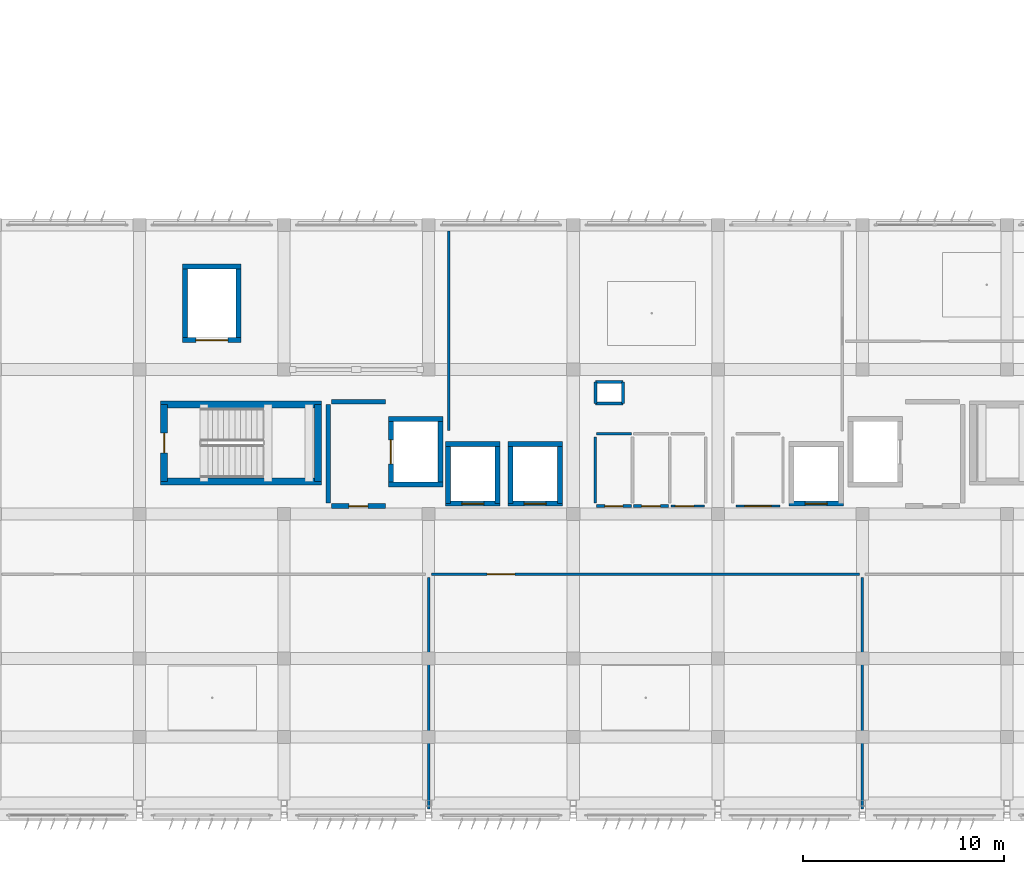
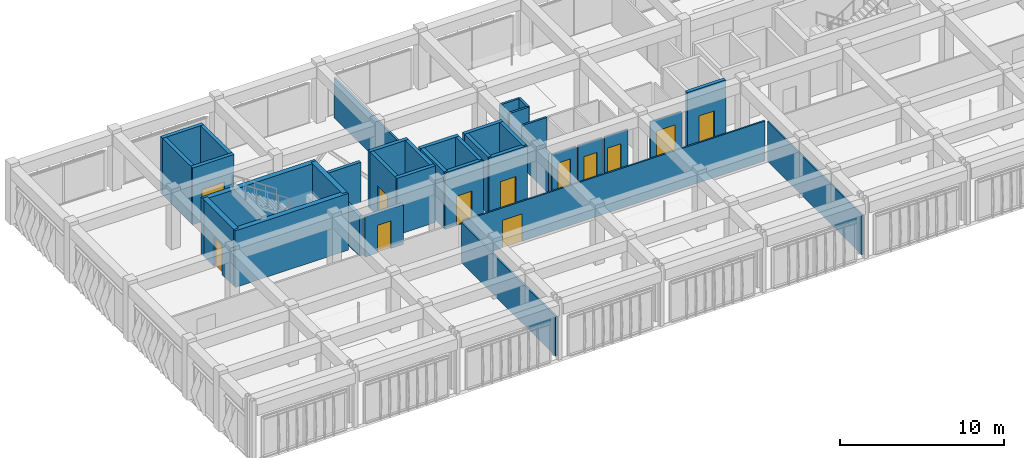
# One storey, part 35 of 56: 38 walls, 12 doors, 12 openings.
"""IFC4 building model written with IfcOpenShell, lengths in metres."""

from ifc_helpers import new_model, si_unit, direction, frame, frame_2d, origin, place, context, subcontext, project, spatial, rectangle, extrude, material, layer, layer_set, type_object, element, fill, save


model = new_model("IFC4")

# Units and contexts
model_context = context("Model", 3, precision=1e-05, world=origin(), true_north=direction((0.0, 1.0)))
body_context = subcontext(model_context, "Body", "Model", "MODEL_VIEW")
ifc_project = project(units=[si_unit("LENGTHUNIT", "METRE"), si_unit("AREAUNIT", "SQUARE_METRE"), si_unit("VOLUMEUNIT", "CUBIC_METRE"), si_unit("PLANEANGLEUNIT", "RADIAN"), si_unit("MASSUNIT", "GRAM", prefix="KILO")], contexts=[model_context])

# Site, building, storey
site_placement = place(None, origin())
site = spatial("IfcSite", under=ifc_project, at=site_placement, CompositionType="ELEMENT")
building_placement = place(site_placement, origin())
building = spatial("IfcBuilding", under=site, at=building_placement, Name="Kazehaya Institute of Natural Sciences", CompositionType="ELEMENT")
storey_placement = place(building_placement, frame((0.0, 0.0, 28.800048828125)))
storey = spatial("IfcBuildingStorey", under=building, at=storey_placement, Name="L06", CompositionType="ELEMENT", Elevation=28.800048828125)

# Walls
ifc_material_1 = material(Name="Concrete Fc42", Category="concrete")
ifc_layer_1 = layer(ifc_material_1, 0.35009765625, Name="Concrete Fc42", Category="concrete")
ifc_layer_set_1 = layer_set([ifc_layer_1], Name="Concrete Fc42")
wall_type_1 = type_object("IfcWallType", Name="WL-CORE-350", PredefinedType="SHEAR", material=ifc_layer_set_1)
for number, where, z_axis, x_axis, name in (
    (1, (70.85498046875, 22.820068359375, 0.0), (0.0, 0.0, 1.0), (-1.0, 0.0, 0.0), "L06 ST-1 core wall S"),
    (2, (62.844970703125, 26.659912109375, 0.0), (0.0, 0.0, 1.0), (1.0, 0.0, 0.0), "L06 ST-1 core wall N"),
):
    element("IfcWall", number, at=place(storey_placement, frame(where, z_axis=z_axis, x_axis=x_axis)), inside=storey, type_object=wall_type_1, Name=name, PredefinedType="SHEAR", context=body_context, shape_type="SweptSolid", body=[
        extrude(rectangle(XDim=8.010009765625, YDim=0.35009765625, at=frame_2d((4.0048828125, 0.0))), origin(), (0.0, 0.0, 1.0), 4.22998046875),
    ])

# Wall, opening, door
wall_1_placement = place(storey_placement, frame((63.02001953125, 22.820068359375, 0.0), z_axis=(0.0, 0.0, 1.0), x_axis=(0.0, 1.0, 0.0)))
wall_1 = element("IfcWall", 3, at=wall_1_placement, inside=storey, type_object=wall_type_1, Name="L06 ST-1 core wall W", PredefinedType="SHEAR", context=body_context, shape_type="SweptSolid", body=[
    extrude(rectangle(XDim=3.83984375, YDim=0.35009765625, at=frame_2d((1.919921875, 0.0))), origin(), (0.0, 0.0, 1.0), 4.22998046875),
])
opening_1_placement = place(wall_1_placement, frame((1.429931640625, 0.0, 0.0)))
opening_1 = element("IfcOpeningElement", 4, at=opening_1_placement, cuts=wall_1, Name="Opening D-ST-008", PredefinedType="OPENING", context=body_context, shape_type="SweptSolid", body=[
    extrude(rectangle(XDim=0.97998046875, YDim=2.179931640625, at=frame_2d((0.489990234375, 1.08984375))), frame((0.0, 0.18505859375, 0.0), z_axis=(0.0, -1.0, 0.0), x_axis=(1.0, 0.0, 0.0)), (0.0, 0.0, 1.0), 0.3701171875),
])
ifc_material_2 = material(Name="Fire-rated steel acoustic door", Category="steel")
door_type_1 = type_object("IfcDoorType", Name="DT-FD-09", OperationType="NOTDEFINED", PredefinedType="DOOR", material=ifc_material_2)
door_1_placement = place(opening_1_placement, origin())
door_1 = element("IfcDoor", 5, at=door_1_placement, inside=storey, type_object=door_type_1, Name="L06 ST-1 stair enclosure door D-ST-008", OperationType="SINGLE_SWING_RIGHT", OverallHeight=2.179931640625, OverallWidth=0.97998046875, PredefinedType="DOOR", context=body_context, shape_type="SweptSolid", body=[
    extrude(rectangle(XDim=0.97998046875, YDim=2.179931640625, at=frame_2d((0.489990234375, 1.08984375))), frame((0.0, 0.02490234375, 0.0), z_axis=(0.0, -1.0, 0.0), x_axis=(1.0, 0.0, 0.0)), (0.0, 0.0, 1.0), 0.050048828125),
])
fill(opening_1, door_1)

# Wall
wall_2_placement = place(storey_placement, frame((70.679931640625, 26.659912109375, 0.0), z_axis=(0.0, 0.0, 1.0), x_axis=(0.0, -1.0, 0.0)))
element("IfcWall", 6, at=wall_2_placement, inside=storey, type_object=wall_type_1, Name="L06 ST-1 core wall E", PredefinedType="SHEAR", context=body_context, shape_type="SweptSolid", body=[
    extrude(rectangle(XDim=3.83984375, YDim=0.35009765625, at=frame_2d((1.919921875, 0.0))), origin(), (0.0, 0.0, 1.0), 4.22998046875),
])

# Wall, opening, door
ifc_material_3 = material(Name="Concrete Fc36", Category="concrete")
ifc_layer_2 = layer(ifc_material_3, 0.22998046875, Name="Concrete Fc36", Category="concrete")
ifc_layer_set_2 = layer_set([ifc_layer_2], Name="Concrete Fc36")
wall_type_2 = type_object("IfcWallType", Name="WL-FFL-230", PredefinedType="PARTITIONING", material=ifc_layer_set_2)
wall_3_placement = place(storey_placement, frame((74.050048828125, 21.60009765625, 0.0), z_axis=(0.0, 0.0, 1.0), x_axis=(-1.0, 0.0, 0.0)))
wall_3 = element("IfcWall", 7, at=wall_3_placement, inside=storey, type_object=wall_type_2, Name="L06 West Firefighting Lift Lobby partition IW-L06-0290", PredefinedType="PARTITIONING", context=body_context, shape_type="SweptSolid", body=[
    extrude(rectangle(XDim=2.699951171875, YDim=0.22998046875, at=frame_2d((1.35009765625, 0.0))), origin(), (0.0, 0.0, 1.0), 2.97998046875),
])
opening_2_placement = place(wall_3_placement, frame((0.8798828125, 0.0, 0.0)))
opening_2 = element("IfcOpeningElement", 8, at=opening_2_placement, cuts=wall_3, Name="Opening D-L06-0170", PredefinedType="OPENING", context=body_context, shape_type="SweptSolid", body=[
    extrude(rectangle(XDim=0.93994140625, YDim=2.06005859375, at=frame_2d((0.469970703125, 1.030029296875))), frame((0.0, 0.125, 0.0), z_axis=(0.0, -1.0, 0.0), x_axis=(1.0, 0.0, 0.0)), (0.0, 0.0, 1.0), 0.25),
])
door_type_2 = type_object("IfcDoorType", Name="DT-FD-04", OperationType="NOTDEFINED", PredefinedType="DOOR", material=ifc_material_2)
door_2_placement = place(opening_2_placement, origin())
door_2 = element("IfcDoor", 9, at=door_2_placement, inside=storey, type_object=door_type_2, Name="L06 West Firefighting Lift Lobby door D-L06-0170", OperationType="SINGLE_SWING_RIGHT", OverallHeight=2.06005859375, OverallWidth=0.93994140625, PredefinedType="DOOR", context=body_context, shape_type="SweptSolid", body=[
    extrude(rectangle(XDim=0.93994140625, YDim=2.06005859375, at=frame_2d((0.469970703125, 1.030029296875))), frame((0.0, 0.02490234375, 0.0), z_axis=(0.0, -1.0, 0.0), x_axis=(1.0, 0.0, 0.0)), (0.0, 0.0, 1.0), 0.050048828125),
])
fill(opening_2, door_2)

# Walls
wall_4_placement = place(storey_placement, frame((71.35009765625, 26.800048828125, 0.0), z_axis=(0.0, 0.0, 1.0), x_axis=(1.0, 0.0, 0.0)))
element("IfcWall", 10, at=wall_4_placement, inside=storey, type_object=wall_type_2, Name="L06 West Firefighting Lift Lobby partition IW-L06-0291", PredefinedType="PARTITIONING", context=body_context, shape_type="SweptSolid", body=[
    extrude(rectangle(XDim=2.699951171875, YDim=0.22998046875, at=frame_2d((1.35009765625, 0.0))), origin(), (0.0, 0.0, 1.0), 2.97998046875),
])
wall_5_placement = place(storey_placement, frame((71.199951171875, 21.75, 0.0), z_axis=(0.0, 0.0, 1.0), x_axis=(0.0, 1.0, 0.0)))
element("IfcWall", 11, at=wall_5_placement, inside=storey, type_object=wall_type_2, Name="L06 West Firefighting Lift Lobby partition IW-L06-0292", PredefinedType="PARTITIONING", context=body_context, shape_type="SweptSolid", body=[
    extrude(rectangle(XDim=4.89990234375, YDim=0.22998046875, at=frame_2d((2.449951171875, 0.0))), origin(), (0.0, 0.0, 1.0), 2.97998046875),
])

# Wall, opening, door
ifc_material_4 = material(Name="Glazed office demountable partition")
ifc_layer_3 = layer(ifc_material_4, 0.110107421875, Name="Glazed office demountable partition")
ifc_layer_set_3 = layer_set([ifc_layer_3], Name="Glazed office demountable partition")
wall_type_3 = type_object("IfcWallType", Name="WL-PART-110", PredefinedType="PARTITIONING", material=ifc_layer_set_3)
wall_6_placement = place(storey_placement, frame((93.699951171875, 21.60009765625, 0.0), z_axis=(0.0, 0.0, 1.0), x_axis=(-1.0, 0.0, 0.0)))
wall_6 = element("IfcWall", 12, at=wall_6_placement, inside=storey, type_object=wall_type_3, Name="L06 Ostomate WC partition IW-L06-0306", PredefinedType="PARTITIONING", context=body_context, shape_type="SweptSolid", body=[
    extrude(rectangle(XDim=2.199951171875, YDim=0.110107421875, at=frame_2d((1.10009765625, 0.0))), origin(), (0.0, 0.0, 1.0), 2.97998046875),
])
opening_3_placement = place(wall_6_placement, frame((0.43994140625, 0.0, 0.0)))
opening_3 = element("IfcOpeningElement", 13, at=opening_3_placement, cuts=wall_6, Name="Opening D-L06-0175", PredefinedType="OPENING", context=body_context, shape_type="SweptSolid", body=[
    extrude(rectangle(XDim=1.320068359375, YDim=2.159912109375, at=frame_2d((0.66015625, 1.080078125))), frame((0.0, 0.06494140625, 0.0), z_axis=(0.0, -1.0, 0.0), x_axis=(1.0, 0.0, 0.0)), (0.0, 0.0, 1.0), 0.130126953125),
])
ifc_material_5 = material(Name="Flush timber and aluminium laboratory door", Category="wood")
door_type_3 = type_object("IfcDoorType", Name="DT-INT-47", OperationType="NOTDEFINED", PredefinedType="DOOR", material=ifc_material_5)
door_3_placement = place(opening_3_placement, origin())
door_3 = element("IfcDoor", 14, at=door_3_placement, inside=storey, type_object=door_type_3, Name="L06 Ostomate WC door D-L06-0175", OperationType="SINGLE_SWING_LEFT", OverallHeight=2.159912109375, OverallWidth=1.320068359375, PredefinedType="DOOR", context=body_context, shape_type="SweptSolid", body=[
    extrude(rectangle(XDim=1.320068359375, YDim=2.159912109375, at=frame_2d((0.66015625, 1.080078125))), frame((0.0, 0.02490234375, 0.0), z_axis=(0.0, -1.0, 0.0), x_axis=(1.0, 0.0, 0.0)), (0.0, 0.0, 1.0), 0.050048828125),
])
fill(opening_3, door_3)

wall_7_placement = place(storey_placement, frame((76.35009765625, 18.199951171875, 0.0), z_axis=(0.0, 0.0, 1.0), x_axis=(1.0, 0.0, 0.0)))
wall_7 = element("IfcWall", 15, at=wall_7_placement, inside=storey, type_object=wall_type_3, Name="L06 Electrochemistry Laboratory partition IW-L06-0312", PredefinedType="PARTITIONING", context=body_context, shape_type="SweptSolid", body=[
    extrude(rectangle(XDim=21.2998046875, YDim=0.110107421875, at=frame_2d((10.64990234375, 0.0))), origin(), (0.0, 0.0, 1.0), 2.97998046875),
])
opening_4_placement = place(wall_7_placement, frame((2.760009765625, 0.0, 0.0)))
opening_4 = element("IfcOpeningElement", 16, at=opening_4_placement, cuts=wall_7, Name="Opening D-L06-0177", PredefinedType="OPENING", context=body_context, shape_type="SweptSolid", body=[
    extrude(rectangle(XDim=1.3798828125, YDim=2.050048828125, at=frame_2d((0.68994140625, 1.02490234375))), frame((0.0, 0.06494140625, 0.0), z_axis=(0.0, -1.0, 0.0), x_axis=(1.0, 0.0, 0.0)), (0.0, 0.0, 1.0), 0.130126953125),
])
door_type_4 = type_object("IfcDoorType", Name="DT-INT-49", OperationType="DOUBLE_DOOR_SINGLE_SWING", PredefinedType="DOOR", material=ifc_material_5)
door_4_placement = place(opening_4_placement, origin())
door_4 = element("IfcDoor", 17, at=door_4_placement, inside=storey, type_object=door_type_4, Name="L06 Electrochemistry Laboratory door D-L06-0177", OperationType="DOUBLE_DOOR_SINGLE_SWING", OverallHeight=2.050048828125, OverallWidth=1.3798828125, PredefinedType="DOOR", context=body_context, shape_type="SweptSolid", body=[
    extrude(rectangle(XDim=1.3798828125, YDim=2.050048828125, at=frame_2d((0.68994140625, 1.02490234375))), frame((0.0, 0.02490234375, 0.0), z_axis=(0.0, -1.0, 0.0), x_axis=(1.0, 0.0, 0.0)), (0.0, 0.0, 1.0), 0.050048828125),
])
fill(opening_4, door_4)

# Wall
wall_8_placement = place(storey_placement, frame((97.800048828125, 18.050048828125, 0.0), z_axis=(0.0, 0.0, 1.0), x_axis=(0.0, -1.0, 0.0)))
element("IfcWall", 18, at=wall_8_placement, inside=storey, type_object=wall_type_3, Name="L06 Electrochemistry Laboratory partition IW-L06-0313", PredefinedType="PARTITIONING", context=body_context, shape_type="SweptSolid", body=[
    extrude(rectangle(XDim=11.550048828125, YDim=0.110107421875, at=frame_2d((5.77490234375, 0.0))), origin(), (0.0, 0.0, 1.0), 2.97998046875),
])

# Wall, opening, door
ifc_material_6 = material(Name="Gypsum write-up office partition", Category="gypsum")
ifc_layer_4 = layer(ifc_material_6, 0.1201171875, Name="Gypsum write-up office partition", Category="gypsum")
ifc_layer_set_4 = layer_set([ifc_layer_4], Name="Gypsum write-up office partition")
wall_type_4 = type_object("IfcWallType", Name="WL-PART-120", PredefinedType="PARTITIONING", material=ifc_layer_set_4)
wall_9_placement = place(storey_placement, frame((89.93994140625, 21.60009765625, 0.0), z_axis=(0.0, 0.0, 1.0), x_axis=(-1.0, 0.0, 0.0)))
wall_9 = element("IfcWall", 19, at=wall_9_placement, inside=storey, type_object=wall_type_4, Name="L06 Accessible WC partition IW-L06-0303", PredefinedType="PARTITIONING", context=body_context, shape_type="SweptSolid", body=[
    extrude(rectangle(XDim=1.679931640625, YDim=0.1201171875, at=frame_2d((0.83984375, 0.0))), origin(), (0.0, 0.0, 1.0), 2.97998046875),
])
opening_5_placement = place(wall_9_placement, frame((0.52490234375, 0.0, 0.0)))
opening_5 = element("IfcOpeningElement", 20, at=opening_5_placement, cuts=wall_9, Name="Opening D-L06-0174", PredefinedType="OPENING", context=body_context, shape_type="SweptSolid", body=[
    extrude(rectangle(XDim=0.929931640625, YDim=2.10009765625, at=frame_2d((0.46484375, 1.050048828125))), frame((0.0, 0.070068359375, 0.0), z_axis=(0.0, -1.0, 0.0), x_axis=(1.0, 0.0, 0.0)), (0.0, 0.0, 1.0), 0.14013671875),
])
door_type_5 = type_object("IfcDoorType", Name="DT-INT-06", OperationType="NOTDEFINED", PredefinedType="DOOR", material=ifc_material_5)
door_5_placement = place(opening_5_placement, origin())
door_5 = element("IfcDoor", 21, at=door_5_placement, inside=storey, type_object=door_type_5, Name="L06 Accessible WC door D-L06-0174", OperationType="SINGLE_SWING_RIGHT", OverallHeight=2.10009765625, OverallWidth=0.929931640625, PredefinedType="DOOR", context=body_context, shape_type="SweptSolid", body=[
    extrude(rectangle(XDim=0.929931640625, YDim=2.10009765625, at=frame_2d((0.46484375, 1.050048828125))), frame((0.0, 0.02490234375, 0.0), z_axis=(0.0, -1.0, 0.0), x_axis=(1.0, 0.0, 0.0)), (0.0, 0.0, 1.0), 0.050048828125),
])
fill(opening_5, door_5)

# Wall
wall_10_placement = place(storey_placement, frame((76.199951171875, 18.050048828125, 0.0), z_axis=(0.0, 0.0, 1.0), x_axis=(0.0, -1.0, 0.0)))
element("IfcWall", 22, at=wall_10_placement, inside=storey, type_object=wall_type_4, Name="L06 Catalysis Synthesis Laboratory partition IW-L06-0311", PredefinedType="PARTITIONING", context=body_context, shape_type="SweptSolid", body=[
    extrude(rectangle(XDim=11.550048828125, YDim=0.1201171875, at=frame_2d((5.77490234375, 0.0))), origin(), (0.0, 0.0, 1.0), 2.97998046875),
])

# Wall, opening, door
ifc_material_7 = material(Name="Moisture-resistant WC partition")
ifc_layer_5 = layer(ifc_material_7, 0.1298828125, Name="Moisture-resistant WC partition")
ifc_layer_set_5 = layer_set([ifc_layer_5], Name="Moisture-resistant WC partition")
wall_type_5 = type_object("IfcWallType", Name="WL-PART-130", PredefinedType="PARTITIONING", material=ifc_layer_set_5)
wall_11_placement = place(storey_placement, frame((88.139892578125, 21.60009765625, 0.0), z_axis=(0.0, 0.0, 1.0), x_axis=(-1.0, 0.0, 0.0)))
wall_11 = element("IfcWall", 23, at=wall_11_placement, inside=storey, type_object=wall_type_5, Name="L06 Female WC partition IW-L06-0300", PredefinedType="PARTITIONING", context=body_context, shape_type="SweptSolid", body=[
    extrude(rectangle(XDim=1.72998046875, YDim=0.1298828125, at=frame_2d((0.864990234375, 0.0))), origin(), (0.0, 0.0, 1.0), 2.97998046875),
])
opening_6_placement = place(wall_11_placement, frame((0.405029296875, 0.0, 0.0)))
opening_6 = element("IfcOpeningElement", 24, at=opening_6_placement, cuts=wall_11, Name="Opening D-L06-0173", PredefinedType="OPENING", context=body_context, shape_type="SweptSolid", body=[
    extrude(rectangle(XDim=0.929931640625, YDim=2.050048828125, at=frame_2d((0.46484375, 1.02490234375))), frame((0.0, 0.074951171875, 0.0), z_axis=(0.0, -1.0, 0.0), x_axis=(1.0, 0.0, 0.0)), (0.0, 0.0, 1.0), 0.14990234375),
])
door_type_6 = type_object("IfcDoorType", Name="DT-INT-05", OperationType="NOTDEFINED", PredefinedType="DOOR", material=ifc_material_5)
door_6_placement = place(opening_6_placement, origin())
door_6 = element("IfcDoor", 25, at=door_6_placement, inside=storey, type_object=door_type_6, Name="L06 Female WC door D-L06-0173", OperationType="SINGLE_SWING_LEFT", OverallHeight=2.050048828125, OverallWidth=0.929931640625, PredefinedType="DOOR", context=body_context, shape_type="SweptSolid", body=[
    extrude(rectangle(XDim=0.929931640625, YDim=2.050048828125, at=frame_2d((0.46484375, 1.02490234375))), frame((0.0, 0.02490234375, 0.0), z_axis=(0.0, -1.0, 0.0), x_axis=(1.0, 0.0, 0.0)), (0.0, 0.0, 1.0), 0.050048828125),
])
fill(opening_6, door_6)

ifc_material_8 = material(Name="Gypsum partition", Category="gypsum")
ifc_layer_6 = layer(ifc_material_8, 0.139892578125, Name="Gypsum partition", Category="gypsum")
ifc_layer_set_6 = layer_set([ifc_layer_6], Name="Gypsum partition")
wall_type_6 = type_object("IfcWallType", Name="WL-PART-140", PredefinedType="PARTITIONING", material=ifc_layer_set_6)
wall_12_placement = place(storey_placement, frame((86.2900390625, 21.60009765625, 0.0), z_axis=(0.0, 0.0, 1.0), x_axis=(-1.0, 0.0, 0.0)))
wall_12 = element("IfcWall", 26, at=wall_12_placement, inside=storey, type_object=wall_type_6, Name="L06 Male WC partition IW-L06-0296", PredefinedType="PARTITIONING", context=body_context, shape_type="SweptSolid", body=[
    extrude(rectangle(XDim=1.72998046875, YDim=0.139892578125, at=frame_2d((0.864990234375, 0.0))), origin(), (0.0, 0.0, 1.0), 2.97998046875),
])
opening_7_placement = place(wall_12_placement, frame((0.419921875, 0.0, 0.0)))
opening_7 = element("IfcOpeningElement", 27, at=opening_7_placement, cuts=wall_12, Name="Opening D-L06-0172", PredefinedType="OPENING", context=body_context, shape_type="SweptSolid", body=[
    extrude(rectangle(XDim=0.89990234375, YDim=2.219970703125, at=frame_2d((0.449951171875, 1.10986328125))), frame((0.0, 0.079833984375, 0.0), z_axis=(0.0, -1.0, 0.0), x_axis=(1.0, 0.0, 0.0)), (0.0, 0.0, 1.0), 0.159912109375),
])
door_type_7 = type_object("IfcDoorType", Name="DT-INT-04", OperationType="NOTDEFINED", PredefinedType="DOOR", material=ifc_material_5)
door_7_placement = place(opening_7_placement, origin())
door_7 = element("IfcDoor", 28, at=door_7_placement, inside=storey, type_object=door_type_7, Name="L06 Male WC door D-L06-0172", OperationType="SINGLE_SWING_RIGHT", OverallHeight=2.219970703125, OverallWidth=0.89990234375, PredefinedType="DOOR", context=body_context, shape_type="SweptSolid", body=[
    extrude(rectangle(XDim=0.89990234375, YDim=2.219970703125, at=frame_2d((0.449951171875, 1.10986328125))), frame((0.0, 0.02490234375, 0.0), z_axis=(0.0, -1.0, 0.0), x_axis=(1.0, 0.0, 0.0)), (0.0, 0.0, 1.0), 0.050048828125),
])
fill(opening_7, door_7)

# Walls
wall_13_placement = place(storey_placement, frame((84.56005859375, 25.199951171875, 0.0), z_axis=(0.0, 0.0, 1.0), x_axis=(1.0, 0.0, 0.0)))
element("IfcWall", 29, at=wall_13_placement, inside=storey, type_object=wall_type_6, Name="L06 Male WC partition IW-L06-0297", PredefinedType="PARTITIONING", context=body_context, shape_type="SweptSolid", body=[
    extrude(rectangle(XDim=1.72998046875, YDim=0.139892578125, at=frame_2d((0.864990234375, 0.0))), origin(), (0.0, 0.0, 1.0), 2.97998046875),
])
wall_14_placement = place(storey_placement, frame((84.5, 21.75, 0.0), z_axis=(0.0, 0.0, 1.0), x_axis=(0.0, 1.0, 0.0)))
element("IfcWall", 30, at=wall_14_placement, inside=storey, type_object=wall_type_6, Name="L06 Male WC partition IW-L06-0298", PredefinedType="PARTITIONING", context=body_context, shape_type="SweptSolid", body=[
    extrude(rectangle(XDim=3.300048828125, YDim=0.139892578125, at=frame_2d((1.64990234375, 0.0))), origin(), (0.0, 0.0, 1.0), 2.97998046875),
])
wall_15_placement = place(storey_placement, frame((77.199951171875, 25.35009765625, 0.0), z_axis=(0.0, 0.0, 1.0), x_axis=(0.0, 1.0, 0.0)))
element("IfcWall", 31, at=wall_15_placement, inside=storey, type_object=wall_type_6, Name="L06 Surface Science Laboratory partition IW-L06-0315", PredefinedType="PARTITIONING", context=body_context, shape_type="SweptSolid", body=[
    extrude(rectangle(XDim=9.949951171875, YDim=0.139892578125, at=frame_2d((4.97509765625, 0.0))), origin(), (0.0, 0.0, 1.0), 2.97998046875),
])
ifc_layer_7 = layer(ifc_material_3, 0.14990234375, Name="Concrete Fc36", Category="concrete")
ifc_layer_set_7 = layer_set([ifc_layer_7], Name="Concrete Fc36")
wall_type_7 = type_object("IfcWallType", Name="WL-RISER-150", PredefinedType="PARTITIONING", material=ifc_layer_set_7)
for number, where, z_axis, x_axis, name in (
    (32, (85.885009765625, 26.715087890625, 0.0), (0.0, 0.0, 1.0), (-1.0, 0.0, 0.0), "L06 fume exhaust riser shaft wall 43"),
    (33, (84.514892578125, 27.784912109375, 0.0), (0.0, 0.0, 1.0), (1.0, 0.0, 0.0), "L06 fume exhaust riser shaft wall 43"),
):
    element("IfcWall", number, at=place(storey_placement, frame(where, z_axis=z_axis, x_axis=x_axis)), inside=storey, type_object=wall_type_7, Name=name, PredefinedType="PARTITIONING", context=body_context, shape_type="SweptSolid", body=[
        extrude(rectangle(XDim=1.3701171875, YDim=0.14990234375, at=frame_2d((0.68505859375, 0.0))), origin(), (0.0, 0.0, 1.0), 2.97998046875),
    ])
for number, where, z_axis, x_axis, name in (
    (34, (84.514892578125, 26.715087890625, 0.0), (0.0, 0.0, 1.0), (0.0, 1.0, 0.0), "L06 fume exhaust riser shaft wall 43"),
    (35, (85.885009765625, 27.784912109375, 0.0), (0.0, 0.0, 1.0), (0.0, -1.0, 0.0), "L06 fume exhaust riser shaft wall 43"),
):
    element("IfcWall", number, at=place(storey_placement, frame(where, z_axis=z_axis, x_axis=x_axis)), inside=storey, type_object=wall_type_7, Name=name, PredefinedType="PARTITIONING", context=body_context, shape_type="SweptSolid", body=[
        extrude(rectangle(XDim=1.06982421875, YDim=0.14990234375, at=frame_2d((0.534912109375, 0.0))), origin(), (0.0, 0.0, 1.0), 2.97998046875),
    ])
ifc_layer_8 = layer(ifc_material_1, 0.25, Name="Concrete Fc42", Category="concrete")
ifc_layer_set_8 = layer_set([ifc_layer_8], Name="Concrete Fc42")
wall_type_8 = type_object("IfcWallType", Name="WL-SHAFT-250", PredefinedType="SHEAR", material=ifc_layer_set_8)
for number, where, z_axis, x_axis, name in (
    (36, (76.909912109375, 22.6650390625, 0.0), (0.0, 0.0, 1.0), (-1.0, 0.0, 0.0), "L06 EL07 lift shaft wall south"),
    (37, (74.18994140625, 25.93505859375, 0.0), (0.0, 0.0, 1.0), (1.0, 0.0, 0.0), "L06 EL07 lift shaft wall north"),
):
    element("IfcWall", number, at=place(storey_placement, frame(where, z_axis=z_axis, x_axis=x_axis)), inside=storey, type_object=wall_type_8, Name=name, PredefinedType="SHEAR", context=body_context, shape_type="SweptSolid", body=[
        extrude(rectangle(XDim=2.719970703125, YDim=0.25, at=frame_2d((1.35986328125, 0.0))), origin(), (0.0, 0.0, 1.0), 4.22998046875),
    ])

# Wall, opening, door
wall_16_placement = place(storey_placement, frame((74.31494140625, 22.6650390625, 0.0), z_axis=(0.0, 0.0, 1.0), x_axis=(0.0, 1.0, 0.0)))
wall_16 = element("IfcWall", 38, at=wall_16_placement, inside=storey, type_object=wall_type_8, Name="L06 EL07 lift shaft wall west", PredefinedType="SHEAR", context=body_context, shape_type="SweptSolid", body=[
    extrude(rectangle(XDim=3.27001953125, YDim=0.25, at=frame_2d((1.635009765625, 0.0))), origin(), (0.0, 0.0, 1.0), 4.22998046875),
])
opening_8_placement = place(wall_16_placement, frame((1.034912109375, 0.0, 0.0)))
opening_8 = element("IfcOpeningElement", 39, at=opening_8_placement, cuts=wall_16, Name="Opening LD-08", PredefinedType="OPENING", context=body_context, shape_type="SweptSolid", body=[
    extrude(rectangle(XDim=1.199951171875, YDim=2.25, at=frame_2d((0.60009765625, 1.125))), frame((0.0, 0.135009765625, 0.0), z_axis=(0.0, -1.0, 0.0), x_axis=(1.0, 0.0, 0.0)), (0.0, 0.0, 1.0), 0.27001953125),
])
ifc_material_9 = material(Name="Stainless-steel emergency lift landing door", Category="steel")
door_type_8 = type_object("IfcDoorType", Name="DT-LD-1200x2250", OperationType="SLIDING_TO_LEFT", PredefinedType="DOOR", material=ifc_material_9)
door_8_placement = place(opening_8_placement, origin())
door_8 = element("IfcDoor", 40, at=door_8_placement, inside=storey, type_object=door_type_8, Name="L06 EL07 sliding landing door LD-08", OperationType="SLIDING_TO_LEFT", OverallHeight=2.25, OverallWidth=1.199951171875, PredefinedType="DOOR", context=body_context, shape_type="SweptSolid", body=[
    extrude(rectangle(XDim=1.199951171875, YDim=2.25, at=frame_2d((0.60009765625, 1.125))), frame((0.0, 0.02490234375, 0.0), z_axis=(0.0, -1.0, 0.0), x_axis=(1.0, 0.0, 0.0)), (0.0, 0.0, 1.0), 0.050048828125),
])
fill(opening_8, door_8)

# Wall
wall_17_placement = place(storey_placement, frame((76.784912109375, 25.93505859375, 0.0), z_axis=(0.0, 0.0, 1.0), x_axis=(0.0, -1.0, 0.0)))
element("IfcWall", 41, at=wall_17_placement, inside=storey, type_object=wall_type_8, Name="L06 EL07 lift shaft wall east", PredefinedType="SHEAR", context=body_context, shape_type="SweptSolid", body=[
    extrude(rectangle(XDim=3.27001953125, YDim=0.25, at=frame_2d((1.635009765625, 0.0))), origin(), (0.0, 0.0, 1.0), 4.22998046875),
])

# Wall, opening, door
wall_18_placement = place(storey_placement, frame((79.760009765625, 21.715087890625, 0.0), z_axis=(0.0, 0.0, 1.0), x_axis=(-1.0, 0.0, 0.0)))
wall_18 = element("IfcWall", 42, at=wall_18_placement, inside=storey, type_object=wall_type_8, Name="L06 EL01 lift shaft wall south", PredefinedType="SHEAR", context=body_context, shape_type="SweptSolid", body=[
    extrude(rectangle(XDim=2.719970703125, YDim=0.25, at=frame_2d((1.35986328125, 0.0))), origin(), (0.0, 0.0, 1.0), 4.22998046875),
])
opening_9_placement = place(wall_18_placement, frame((0.81005859375, 0.0, 0.0)))
opening_9 = element("IfcOpeningElement", 43, at=opening_9_placement, cuts=wall_18, Name="Opening LD-30", PredefinedType="OPENING", context=body_context, shape_type="SweptSolid", body=[
    extrude(rectangle(XDim=1.10009765625, YDim=2.199951171875, at=frame_2d((0.550048828125, 1.10009765625))), frame((0.0, 0.135009765625, 0.0), z_axis=(0.0, -1.0, 0.0), x_axis=(1.0, 0.0, 0.0)), (0.0, 0.0, 1.0), 0.27001953125),
])
ifc_material_10 = material(Name="Stainless-steel sliding landing door", Category="steel")
door_type_9 = type_object("IfcDoorType", Name="DT-LD-1100x2200", OperationType="SLIDING_TO_LEFT", PredefinedType="DOOR", material=ifc_material_10)
door_9_placement = place(opening_9_placement, origin())
door_9 = element("IfcDoor", 44, at=door_9_placement, inside=storey, type_object=door_type_9, Name="L06 EL01 sliding landing door LD-30", OperationType="SLIDING_TO_LEFT", OverallHeight=2.199951171875, OverallWidth=1.10009765625, PredefinedType="DOOR", context=body_context, shape_type="SweptSolid", body=[
    extrude(rectangle(XDim=1.10009765625, YDim=2.199951171875, at=frame_2d((0.550048828125, 1.10009765625))), frame((0.0, 0.02490234375, 0.0), z_axis=(0.0, -1.0, 0.0), x_axis=(1.0, 0.0, 0.0)), (0.0, 0.0, 1.0), 0.050048828125),
])
fill(opening_9, door_9)

# Walls
wall_19_placement = place(storey_placement, frame((77.0400390625, 24.68505859375, 0.0), z_axis=(0.0, 0.0, 1.0), x_axis=(1.0, 0.0, 0.0)))
element("IfcWall", 45, at=wall_19_placement, inside=storey, type_object=wall_type_8, Name="L06 EL01 lift shaft wall north", PredefinedType="SHEAR", context=body_context, shape_type="SweptSolid", body=[
    extrude(rectangle(XDim=2.719970703125, YDim=0.25, at=frame_2d((1.35986328125, 0.0))), origin(), (0.0, 0.0, 1.0), 4.22998046875),
])
for number, where, z_axis, x_axis, name in (
    (46, (77.1650390625, 21.715087890625, 0.0), (0.0, 0.0, 1.0), (0.0, 1.0, 0.0), "L06 EL01 lift shaft wall west"),
    (47, (79.635009765625, 24.68505859375, 0.0), (0.0, 0.0, 1.0), (0.0, -1.0, 0.0), "L06 EL01 lift shaft wall east"),
):
    element("IfcWall", number, at=place(storey_placement, frame(where, z_axis=z_axis, x_axis=x_axis)), inside=storey, type_object=wall_type_8, Name=name, PredefinedType="SHEAR", context=body_context, shape_type="SweptSolid", body=[
        extrude(rectangle(XDim=2.969970703125, YDim=0.25, at=frame_2d((1.48486328125, 0.0))), origin(), (0.0, 0.0, 1.0), 4.22998046875),
    ])

# Wall, opening, door
wall_20_placement = place(storey_placement, frame((82.860107421875, 21.715087890625, 0.0), z_axis=(0.0, 0.0, 1.0), x_axis=(-1.0, 0.0, 0.0)))
wall_20 = element("IfcWall", 48, at=wall_20_placement, inside=storey, type_object=wall_type_8, Name="L06 EL02 lift shaft wall south", PredefinedType="SHEAR", context=body_context, shape_type="SweptSolid", body=[
    extrude(rectangle(XDim=2.72021484375, YDim=0.25, at=frame_2d((1.360107421875, 0.0))), origin(), (0.0, 0.0, 1.0), 4.22998046875),
])
opening_10_placement = place(wall_20_placement, frame((0.81005859375, 0.0, 0.0)))
opening_10 = element("IfcOpeningElement", 49, at=opening_10_placement, cuts=wall_20, Name="Opening LD-41", PredefinedType="OPENING", context=body_context, shape_type="SweptSolid", body=[
    extrude(rectangle(XDim=1.10009765625, YDim=2.199951171875, at=frame_2d((0.550048828125, 1.10009765625))), frame((0.0, 0.135009765625, 0.0), z_axis=(0.0, -1.0, 0.0), x_axis=(1.0, 0.0, 0.0)), (0.0, 0.0, 1.0), 0.27001953125),
])
door_10_placement = place(opening_10_placement, origin())
door_10 = element("IfcDoor", 50, at=door_10_placement, inside=storey, type_object=door_type_9, Name="L06 EL02 sliding landing door LD-41", OperationType="SLIDING_TO_LEFT", OverallHeight=2.199951171875, OverallWidth=1.10009765625, PredefinedType="DOOR", context=body_context, shape_type="SweptSolid", body=[
    extrude(rectangle(XDim=1.10009765625, YDim=2.199951171875, at=frame_2d((0.550048828125, 1.10009765625))), frame((0.0, 0.02490234375, 0.0), z_axis=(0.0, -1.0, 0.0), x_axis=(1.0, 0.0, 0.0)), (0.0, 0.0, 1.0), 0.050048828125),
])
fill(opening_10, door_10)

# Walls
wall_21_placement = place(storey_placement, frame((80.139892578125, 24.68505859375, 0.0), z_axis=(0.0, 0.0, 1.0), x_axis=(1.0, 0.0, 0.0)))
element("IfcWall", 51, at=wall_21_placement, inside=storey, type_object=wall_type_8, Name="L06 EL02 lift shaft wall north", PredefinedType="SHEAR", context=body_context, shape_type="SweptSolid", body=[
    extrude(rectangle(XDim=2.72021484375, YDim=0.25, at=frame_2d((1.360107421875, 0.0))), origin(), (0.0, 0.0, 1.0), 4.22998046875),
])
for number, where, z_axis, x_axis, name in (
    (52, (80.264892578125, 21.715087890625, 0.0), (0.0, 0.0, 1.0), (0.0, 1.0, 0.0), "L06 EL02 lift shaft wall west"),
    (53, (82.735107421875, 24.68505859375, 0.0), (0.0, 0.0, 1.0), (0.0, -1.0, 0.0), "L06 EL02 lift shaft wall east"),
):
    element("IfcWall", number, at=place(storey_placement, frame(where, z_axis=z_axis, x_axis=x_axis)), inside=storey, type_object=wall_type_8, Name=name, PredefinedType="SHEAR", context=body_context, shape_type="SweptSolid", body=[
        extrude(rectangle(XDim=2.969970703125, YDim=0.25, at=frame_2d((1.48486328125, 0.0))), origin(), (0.0, 0.0, 1.0), 4.22998046875),
    ])

# Wall, opening, door
wall_22_placement = place(storey_placement, frame((96.860107421875, 21.715087890625, 0.0), z_axis=(0.0, 0.0, 1.0), x_axis=(-1.0, 0.0, 0.0)))
wall_22 = element("IfcWall", 54, at=wall_22_placement, inside=storey, type_object=wall_type_8, Name="L06 EL03 lift shaft wall south", PredefinedType="SHEAR", context=body_context, shape_type="SweptSolid", body=[
    extrude(rectangle(XDim=2.72021484375, YDim=0.25, at=frame_2d((1.360107421875, 0.0))), origin(), (0.0, 0.0, 1.0), 4.22998046875),
])
opening_11_placement = place(wall_22_placement, frame((0.81005859375, 0.0, 0.0)))
opening_11 = element("IfcOpeningElement", 55, at=opening_11_placement, cuts=wall_22, Name="Opening LD-52", PredefinedType="OPENING", context=body_context, shape_type="SweptSolid", body=[
    extrude(rectangle(XDim=1.10009765625, YDim=2.199951171875, at=frame_2d((0.550048828125, 1.10009765625))), frame((0.0, 0.135009765625, 0.0), z_axis=(0.0, -1.0, 0.0), x_axis=(1.0, 0.0, 0.0)), (0.0, 0.0, 1.0), 0.27001953125),
])
door_11_placement = place(opening_11_placement, origin())
door_11 = element("IfcDoor", 56, at=door_11_placement, inside=storey, type_object=door_type_9, Name="L06 EL03 sliding landing door LD-52", OperationType="SLIDING_TO_LEFT", OverallHeight=2.199951171875, OverallWidth=1.10009765625, PredefinedType="DOOR", context=body_context, shape_type="SweptSolid", body=[
    extrude(rectangle(XDim=1.10009765625, YDim=2.199951171875, at=frame_2d((0.550048828125, 1.10009765625))), frame((0.0, 0.02490234375, 0.0), z_axis=(0.0, -1.0, 0.0), x_axis=(1.0, 0.0, 0.0)), (0.0, 0.0, 1.0), 0.050048828125),
])
fill(opening_11, door_11)

wall_23_placement = place(storey_placement, frame((66.860107421875, 29.864990234375, 0.0), z_axis=(0.0, 0.0, 1.0), x_axis=(-1.0, 0.0, 0.0)))
wall_23 = element("IfcWall", 57, at=wall_23_placement, inside=storey, type_object=wall_type_8, Name="L06 EL06 lift shaft wall south", PredefinedType="SHEAR", context=body_context, shape_type="SweptSolid", body=[
    extrude(rectangle(XDim=2.920166015625, YDim=0.25, at=frame_2d((1.4599609375, 0.0))), origin(), (0.0, 0.0, 1.0), 4.22998046875),
])
opening_12_placement = place(wall_23_placement, frame((0.659912109375, 0.0, 0.0)))
opening_12 = element("IfcOpeningElement", 58, at=opening_12_placement, cuts=wall_23, Name="Opening LD-79", PredefinedType="OPENING", context=body_context, shape_type="SweptSolid", body=[
    extrude(rectangle(XDim=1.60009765625, YDim=2.39990234375, at=frame_2d((0.800048828125, 1.199951171875))), frame((0.0, 0.135009765625, 0.0), z_axis=(0.0, -1.0, 0.0), x_axis=(1.0, 0.0, 0.0)), (0.0, 0.0, 1.0), 0.27001953125),
])
ifc_material_11 = material(Name="Heavy-duty goods lift sliding landing door")
door_type_10 = type_object("IfcDoorType", Name="DT-LD-1600x2400", OperationType="SLIDING_TO_LEFT", PredefinedType="DOOR", material=ifc_material_11)
door_12_placement = place(opening_12_placement, origin())
door_12 = element("IfcDoor", 59, at=door_12_placement, inside=storey, type_object=door_type_10, Name="L06 EL06 sliding landing door LD-79", OperationType="SLIDING_TO_LEFT", OverallHeight=2.39990234375, OverallWidth=1.60009765625, PredefinedType="DOOR", context=body_context, shape_type="SweptSolid", body=[
    extrude(rectangle(XDim=1.60009765625, YDim=2.39990234375, at=frame_2d((0.800048828125, 1.199951171875))), frame((0.0, 0.02490234375, 0.0), z_axis=(0.0, -1.0, 0.0), x_axis=(1.0, 0.0, 0.0)), (0.0, 0.0, 1.0), 0.050048828125),
])
fill(opening_12, door_12)

# Walls
wall_24_placement = place(storey_placement, frame((63.93994140625, 33.534912109375, 0.0), z_axis=(0.0, 0.0, 1.0), x_axis=(1.0, 0.0, 0.0)))
element("IfcWall", 60, at=wall_24_placement, inside=storey, type_object=wall_type_8, Name="L06 EL06 lift shaft wall north", PredefinedType="SHEAR", context=body_context, shape_type="SweptSolid", body=[
    extrude(rectangle(XDim=2.920166015625, YDim=0.25, at=frame_2d((1.4599609375, 0.0))), origin(), (0.0, 0.0, 1.0), 4.22998046875),
])
for number, where, z_axis, x_axis, name in (
    (61, (64.06494140625, 29.864990234375, 0.0), (0.0, 0.0, 1.0), (0.0, 1.0, 0.0), "L06 EL06 lift shaft wall west"),
    (62, (66.735107421875, 33.534912109375, 0.0), (0.0, 0.0, 1.0), (0.0, -1.0, 0.0), "L06 EL06 lift shaft wall east"),
):
    element("IfcWall", number, at=place(storey_placement, frame(where, z_axis=z_axis, x_axis=x_axis)), inside=storey, type_object=wall_type_8, Name=name, PredefinedType="SHEAR", context=body_context, shape_type="SweptSolid", body=[
        extrude(rectangle(XDim=3.669921875, YDim=0.25, at=frame_2d((1.8349609375, 0.0))), origin(), (0.0, 0.0, 1.0), 4.22998046875),
    ])

save(model, "model.ifc")
